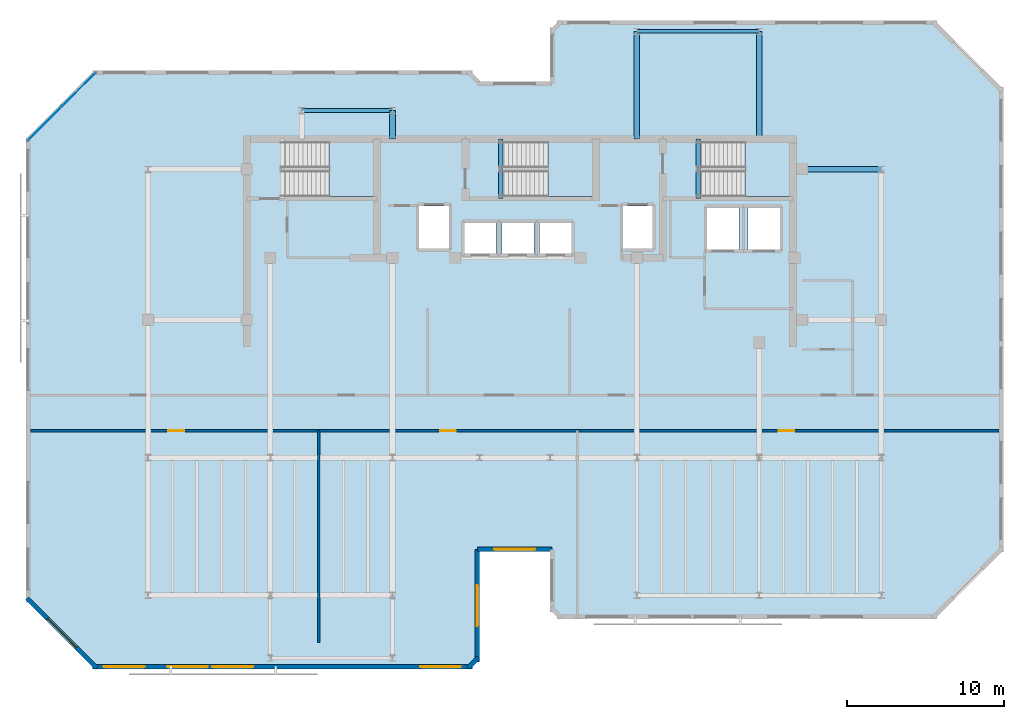
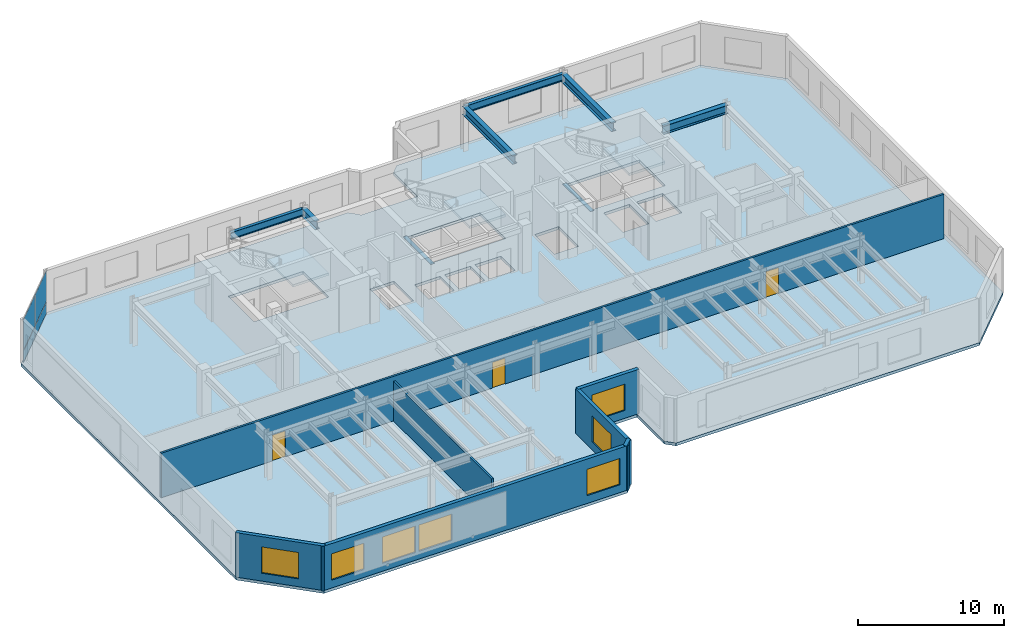
# One storey, part 3 of 9: 8 beams, 7 walls, 7 windows, 4 plates, 4 slabs, 3 doors, 10 openings, 4 elements without a shape of their own.
"""IFC4 building model written with IfcOpenShell, lengths in metres."""

from ifc_helpers import new_model, si_unit, direction, frame, frame_2d, origin, origin_2d, place, context, subcontext, project, spatial, polyline, rectangle, i_section, outline, extrude, material, layer, layer_set, material_profile, profile_set, type_object, element, fill, aggregate, save


model = new_model("IFC4")

# Units and contexts
model_context = context("Model", 3, precision=1e-05, world=origin(), true_north=direction((0.0, 1.0)))
body_context = subcontext(model_context, "Body", "Model", "MODEL_VIEW")
ifc_project = project(units=[si_unit("LENGTHUNIT", "METRE"), si_unit("AREAUNIT", "SQUARE_METRE"), si_unit("VOLUMEUNIT", "CUBIC_METRE"), si_unit("PLANEANGLEUNIT", "RADIAN"), si_unit("MASSUNIT", "GRAM", prefix="KILO")], contexts=[model_context])

# Site, building, storey
site_placement = place(None, origin())
site = spatial("IfcSite", under=ifc_project, at=site_placement, CompositionType="ELEMENT")
building_placement = place(site_placement, origin())
building = spatial("IfcBuilding", under=site, at=building_placement, Name="Kestravale Grand Hotel", CompositionType="ELEMENT")
storey_placement = place(building_placement, frame((0.0, 0.0, 293.39990234375)))
storey = spatial("IfcBuildingStorey", under=building, at=storey_placement, Name="L73", CompositionType="ELEMENT", Elevation=293.39990234375)

# Beams
ifc_material_1 = material(Name="Concrete f'c 45 MPa", Category="concrete")
ifc_material_profile_1 = material_profile(ifc_material_1, rectangle(XDim=0.300048828125, YDim=0.39990234375, at=origin_2d()))
ifc_profile_set_1 = profile_set([ifc_material_profile_1], Name="Concrete f'c 45 MPa")
beam_type_1 = type_object("IfcBeamType", Name="B-FLR-LNT400", PredefinedType="LINTEL", material=ifc_profile_set_1)
for number, where, z_axis, x_axis, name in (
    (1, (38.110107421875, 36.52001953125, -0.199951171875), (0.0, 1.0, 0.0), (-1.0, 0.0, 0.0), "L73 ST2 flight bottom header beam"),
    (2, (50.7099609375, 36.52001953125, -0.199951171875), (0.0, 1.0, 0.0), (-1.0, 0.0, 0.0), "L73 ST3 flight bottom header beam"),
):
    element("IfcBeam", number, at=place(storey_placement, frame(where, z_axis=z_axis, x_axis=x_axis)), inside=storey, type_object=beam_type_1, Name=name, PredefinedType="LINTEL", context=body_context, shape_type="SweptSolid", body=[
        extrude(rectangle(XDim=0.300048828125, YDim=0.39990234375, at=origin_2d()), origin(), (0.0, 0.0, 1.0), 3.800048828125),
    ])
ifc_material_2 = material(Name="Steel ASTM A992 Grade 50", Category="steel")
ifc_material_profile_2 = material_profile(ifc_material_2, i_section(OverallWidth=0.22900390625, OverallDepth=0.612060546875, WebThickness=0.011962890625, FlangeThickness=0.01953125, FilletRadius=0.019287109375, at=origin_2d()))
ifc_profile_set_2 = profile_set([ifc_material_profile_2], Name="Steel ASTM A992 Grade 50")
beam_type_2 = type_object("IfcBeamType", Name="B-FLR-W24B", PredefinedType="SPANDREL", material=ifc_profile_set_2)
beam_1_placement = place(storey_placement, frame((46.800048828125, 47.199951171875, 3.404052734375), z_axis=(1.0, 0.0, 0.0), x_axis=(0.0, 1.0, 0.0)))
element("IfcBeam", 3, at=beam_1_placement, inside=storey, type_object=beam_type_2, Name="L73 spandrel G:8-9", PredefinedType="SPANDREL", context=body_context, shape_type="SweptSolid", body=[
    extrude(i_section(OverallWidth=0.22900390625, OverallDepth=0.612060546875, WebThickness=0.011962890625, FlangeThickness=0.01953125, FilletRadius=0.019287109375, at=origin_2d()), origin(), (0.0, 0.0, 1.0), 7.800048828125),
])
beam_2_placement = place(storey_placement, frame((25.39990234375, 42.14990234375, 3.404052734375), z_axis=(1.0, 0.0, 0.0), x_axis=(0.0, 1.0, 0.0)))
element("IfcBeam", 4, at=beam_2_placement, inside=storey, type_object=beam_type_2, Name="L73 perimeter tie spandrel FN:4-5", PredefinedType="SPANDREL", context=body_context, shape_type="SweptSolid", body=[
    extrude(i_section(OverallWidth=0.22900390625, OverallDepth=0.612060546875, WebThickness=0.011962890625, FlangeThickness=0.01953125, FilletRadius=0.019287109375, at=origin_2d()), origin(), (0.0, 0.0, 1.0), 5.800048828125),
])
ifc_material_3 = material(Name="Steel ASTM A992 Grade 50", Category="steel")
ifc_material_profile_3 = material_profile(ifc_material_3, i_section(OverallWidth=0.35595703125, OverallDepth=0.696044921875, WebThickness=0.015380859375, FlangeThickness=0.02490234375, FilletRadius=0.021240234375, at=origin_2d()))
ifc_profile_set_3 = profile_set([ifc_material_profile_3], Name="Steel ASTM A992 Grade 50")
beam_type_3 = type_object("IfcBeamType", Name="B-GRD-W27", PredefinedType="BEAM", material=ifc_profile_set_3)
beam_3_placement = place(storey_placement, frame((57.35009765625, 38.39990234375, 3.362060546875), z_axis=(1.0, 0.0, 0.0), x_axis=(0.0, 1.0, 0.0)))
element("IfcBeam", 5, at=beam_3_placement, inside=storey, type_object=beam_type_3, Name="L73 girder F:CE-10", PredefinedType="BEAM", context=body_context, shape_type="SweptSolid", body=[
    extrude(i_section(OverallWidth=0.35595703125, OverallDepth=0.696044921875, WebThickness=0.015380859375, FlangeThickness=0.02490234375, FilletRadius=0.021240234375, at=origin_2d()), origin(), (0.0, 0.0, 1.0), 5.0498046875),
])
beam_4_placement = place(storey_placement, frame((31.199951171875, 40.320068359375, 3.362060546875), z_axis=(0.0, 1.0, 0.0), x_axis=(-1.0, 0.0, 0.0)))
element("IfcBeam", 6, at=beam_4_placement, inside=storey, type_object=beam_type_3, Name="L73 north wing tie girder 5:CN-FN", PredefinedType="BEAM", context=body_context, shape_type="SweptSolid", body=[
    extrude(i_section(OverallWidth=0.35595703125, OverallDepth=0.696044921875, WebThickness=0.015380859375, FlangeThickness=0.02490234375, FilletRadius=0.021240234375, at=origin_2d()), origin(), (0.0, 0.0, 1.0), 1.829833984375),
])
for number, where, z_axis, x_axis, name in (
    (7, (46.800048828125, 40.320068359375, 3.362060546875), (0.0, 1.0, 0.0), (-1.0, 0.0, 0.0), "L73 north wing tie girder 8:CN-G"),
    (8, (54.60009765625, 40.320068359375, 3.362060546875), (0.0, 1.0, 0.0), (-1.0, 0.0, 0.0), "L73 north wing tie girder 9:CN-G"),
):
    element("IfcBeam", number, at=place(storey_placement, frame(where, z_axis=z_axis, x_axis=x_axis)), inside=storey, type_object=beam_type_3, Name=name, PredefinedType="BEAM", context=body_context, shape_type="SweptSolid", body=[
        extrude(i_section(OverallWidth=0.35595703125, OverallDepth=0.696044921875, WebThickness=0.015380859375, FlangeThickness=0.02490234375, FilletRadius=0.021240234375, at=origin_2d()), origin(), (0.0, 0.0, 1.0), 6.8798828125),
    ])

# Curtain wall, plates
ifc_material_4 = material(Name="Thermally broken champagne-bronze aluminium and low-E glazing", Category="aluminium")
ifc_layer_1 = layer(ifc_material_4, 0.239990234375)
ifc_layer_set_1 = layer_set([ifc_layer_1], Name="CW-OBS")
curtain_wall_type = type_object("IfcCurtainWallType", Name="CW-OBS", PredefinedType="NOTDEFINED", material=ifc_layer_set_1)
curtain_wall_placement = place(storey_placement, origin())
curtain_wall = element("IfcCurtainWall", 9, at=curtain_wall_placement, inside=storey, type_object=curtain_wall_type, Name="L73 unitised curtain wall 18", PredefinedType="NOTDEFINED")
ifc_material_5 = material(Name="Insulated clear low-E double glazing IGU", Category="glass")
ifc_layer_2 = layer(ifc_material_5, 0.0400390625)
ifc_layer_set_2 = layer_set([ifc_layer_2], Name="CW-PNL-40")
plate_type = type_object("IfcPlateType", Name="CW-PNL-40", PredefinedType="CURTAIN_PANEL", material=ifc_layer_set_2)
plate_1_placement = place(storey_placement, frame((11.191162109375, 43.4931640625, 0.0751953125), z_axis=(0.0, 0.0, 1.0), x_axis=(-0.707106781187, -0.707106781187, 0.0)))
plate_1 = element("IfcPlate", 10, at=plate_1_placement, type_object=plate_type, Name="CW-OBS panel 1.1", PredefinedType="CURTAIN_PANEL", context=body_context, shape_type="SweptSolid", body=[
    extrude(rectangle(XDim=3.00390625, YDim=0.0400390625, at=origin_2d()), origin(), (0.0, 0.0, 1.0), 0.9375),
])
plate_2_placement = place(storey_placement, frame((11.191162109375, 43.4931640625, 1.08740234375), z_axis=(0.0, 0.0, 1.0), x_axis=(-0.707106781187, -0.707106781187, 0.0)))
plate_2 = element("IfcPlate", 11, at=plate_2_placement, type_object=plate_type, Name="CW-OBS panel 1.2", PredefinedType="CURTAIN_PANEL", context=body_context, shape_type="SweptSolid", body=[
    extrude(rectangle(XDim=3.00390625, YDim=0.0400390625, at=origin_2d()), origin(), (0.0, 0.0, 1.0), 2.547607421875),
])
plate_3_placement = place(storey_placement, frame((9.0068359375, 41.308837890625, 0.0751953125), z_axis=(0.0, 0.0, 1.0), x_axis=(-0.707106781187, -0.707106781187, 0.0)))
plate_3 = element("IfcPlate", 12, at=plate_3_placement, type_object=plate_type, Name="CW-OBS panel 2.1", PredefinedType="CURTAIN_PANEL", context=body_context, shape_type="SweptSolid", body=[
    extrude(rectangle(XDim=3.00390625, YDim=0.0400390625, at=origin_2d()), origin(), (0.0, 0.0, 1.0), 0.9375),
])
plate_4_placement = place(storey_placement, frame((9.0068359375, 41.308837890625, 1.08740234375), z_axis=(0.0, 0.0, 1.0), x_axis=(-0.707106781187, -0.707106781187, 0.0)))
plate_4 = element("IfcPlate", 13, at=plate_4_placement, type_object=plate_type, Name="CW-OBS panel 2.2", PredefinedType="CURTAIN_PANEL", context=body_context, shape_type="SweptSolid", body=[
    extrude(rectangle(XDim=3.00390625, YDim=0.0400390625, at=origin_2d()), origin(), (0.0, 0.0, 1.0), 2.547607421875),
])
aggregate(curtain_wall, [plate_1, plate_2, plate_3, plate_4])

# Stair, slab
ifc_material_6 = material(Name="Concrete f'c 45 MPa", Category="concrete")
stair_type = type_object("IfcStairType", Name="ST-CORE-400", PredefinedType="HALF_TURN_STAIR", material=ifc_material_6)
stair_1_placement = place(storey_placement, origin())
stair_1 = element("IfcStair", 14, at=stair_1_placement, inside=storey, type_object=stair_type, Name="L73 ST-1", PredefinedType="HALF_TURN_STAIR")
ifc_material_7 = material(Name="Concrete f'c 45 MPa", Category="concrete")
ifc_layer_3 = layer(ifc_material_7, 0.199951171875)
ifc_layer_set_3 = layer_set([ifc_layer_3], Name="SLB-ST-LND200")
slab_type_1 = type_object("IfcSlabType", Name="SLB-ST-LND200", PredefinedType="LANDING", material=ifc_layer_set_3)
slab_1_placement = place(storey_placement, frame((0.0, 0.0, 1.800048828125)))
slab_1 = element("IfcSlab", 15, at=slab_1_placement, type_object=slab_type_1, Name="ST-1 landing 1", PredefinedType="LANDING", context=body_context, shape_type="SweptSolid", body=[
    extrude(outline(polyline([(27.159912109375, 36.64990234375), (30.0, 36.64990234375), (30.0, 40.159912109375), (27.159912109375, 40.159912109375), (27.159912109375, 36.64990234375)])), origin(), (0.0, 0.0, 1.0), 0.199951171875),
])
aggregate(stair_1, [slab_1])

stair_2_placement = place(storey_placement, origin())
stair_2 = element("IfcStair", 16, at=stair_2_placement, inside=storey, type_object=stair_type, Name="L73 ST-2", PredefinedType="HALF_TURN_STAIR")
slab_2_placement = place(storey_placement, frame((0.0, 0.0, 1.800048828125)))
slab_2 = element("IfcSlab", 17, at=slab_2_placement, type_object=slab_type_1, Name="ST-2 landing 1", PredefinedType="LANDING", context=body_context, shape_type="SweptSolid", body=[
    extrude(outline(polyline([(41.110107421875, 36.64990234375), (43.949951171875, 36.64990234375), (43.949951171875, 40.159912109375), (41.110107421875, 40.159912109375), (41.110107421875, 36.64990234375)])), origin(), (0.0, 0.0, 1.0), 0.199951171875),
])
aggregate(stair_2, [slab_2])

stair_3_placement = place(storey_placement, origin())
stair_3 = element("IfcStair", 18, at=stair_3_placement, inside=storey, type_object=stair_type, Name="L73 ST-3", PredefinedType="HALF_TURN_STAIR")
slab_3_placement = place(storey_placement, frame((0.0, 0.0, 1.800048828125)))
slab_3 = element("IfcSlab", 19, at=slab_3_placement, type_object=slab_type_1, Name="ST-3 landing 1", PredefinedType="LANDING", context=body_context, shape_type="SweptSolid", body=[
    extrude(outline(polyline([(53.7099609375, 36.64990234375), (56.550048828125, 36.64990234375), (56.550048828125, 40.159912109375), (53.7099609375, 40.159912109375), (53.7099609375, 36.64990234375)])), origin(), (0.0, 0.0, 1.0), 0.199951171875),
])
aggregate(stair_3, [slab_3])

# Slab
ifc_material_8 = material(Name="Concrete f'c 45 MPa", Category="concrete")
ifc_layer_4 = layer(ifc_material_8, 0.239990234375)
ifc_layer_set_4 = layer_set([ifc_layer_4], Name="SS-FLR-240")
slab_type_2 = type_object("IfcSlabType", Name="SS-FLR-240", PredefinedType="FLOOR", material=ifc_layer_set_4)
slab_4_placement = place(storey_placement, frame((0.0, 0.0, -0.239990234375)))
element("IfcSlab", 20, at=slab_4_placement, inside=storey, type_object=slab_type_2, Name="L73 structural floor slab", PredefinedType="FLOOR", context=body_context, shape_type="SweptSolid", body=[
    extrude(outline(polyline([(12.199951171875, 6.5), (36.14990234375, 6.5), (36.75, 7.10009765625), (36.75, 14.0), (41.25, 14.0), (41.25, 10.300048828125), (41.85009765625, 9.699951171875), (65.800048828125, 9.699951171875), (70.199951171875, 14.10009765625), (70.199951171875, 43.5), (65.800048828125, 47.89990234375), (41.85009765625, 47.89990234375), (41.25, 47.300048828125), (41.25, 44.0), (36.75, 44.0), (36.75, 44.10009765625), (36.14990234375, 44.699951171875), (12.199951171875, 44.699951171875), (7.800048828125, 40.300048828125), (7.800048828125, 10.89990234375), (12.199951171875, 6.5)]), holes=[polyline([(24.080078125, 36.64990234375), (30.0, 36.64990234375), (30.0, 40.159912109375), (24.080078125, 40.159912109375), (24.080078125, 36.64990234375)]), polyline([(38.030029296875, 36.64990234375), (43.949951171875, 36.64990234375), (43.949951171875, 40.159912109375), (38.030029296875, 40.159912109375), (38.030029296875, 36.64990234375)]), polyline([(50.6298828125, 36.64990234375), (56.550048828125, 36.64990234375), (56.550048828125, 40.159912109375), (50.6298828125, 40.159912109375), (50.6298828125, 36.64990234375)]), polyline([(35.780029296875, 33.030029296875), (37.820068359375, 33.030029296875), (37.820068359375, 34.969970703125), (35.780029296875, 34.969970703125), (35.780029296875, 33.030029296875)]), polyline([(38.179931640625, 33.030029296875), (40.219970703125, 33.030029296875), (40.219970703125, 34.969970703125), (38.179931640625, 34.969970703125), (38.179931640625, 33.030029296875)]), polyline([(40.580078125, 33.030029296875), (42.6201171875, 33.030029296875), (42.6201171875, 34.969970703125), (40.580078125, 34.969970703125), (40.580078125, 33.030029296875)]), polyline([(32.905029296875, 33.35498046875), (34.794921875, 33.35498046875), (34.794921875, 36.044921875), (32.905029296875, 36.044921875), (32.905029296875, 33.35498046875)]), polyline([(45.905029296875, 33.35498046875), (47.794921875, 33.35498046875), (47.794921875, 36.044921875), (45.905029296875, 36.044921875), (45.905029296875, 33.35498046875)]), polyline([(51.280029296875, 33.280029296875), (53.320068359375, 33.280029296875), (53.320068359375, 35.919921875), (51.280029296875, 35.919921875), (51.280029296875, 33.280029296875)]), polyline([(53.8798828125, 33.280029296875), (55.919921875, 33.280029296875), (55.919921875, 35.919921875), (53.8798828125, 35.919921875), (53.8798828125, 33.280029296875)])]), origin(), (0.0, 0.0, 1.0), 0.239990234375),
])

# Wall, openings, windows
ifc_material_9 = material(Name="Precast concrete f'c 45 MPa", Category="concrete")
ifc_layer_5 = layer(ifc_material_9, 0.280029296875)
ifc_layer_set_5 = layer_set([ifc_layer_5], Name="EW-PREC-280")
wall_type_1 = type_object("IfcWallType", Name="EW-PREC-280", PredefinedType="SOLIDWALL", material=ifc_layer_set_5)
wall_1_placement = place(storey_placement, frame((12.06005859375, 6.639892578125, 0.0), z_axis=(0.0, 0.0, 1.0), x_axis=(1.0, 0.0, 0.0)))
wall_1 = element("IfcWall", 21, at=wall_1_placement, inside=storey, type_object=wall_type_1, Name="L73 fluted precast facade wall 1", PredefinedType="SOLIDWALL", context=body_context, shape_type="SweptSolid", body=[
    extrude(rectangle(XDim=24.22998046875, YDim=0.280029296875, at=frame_2d((12.114990234375, 0.0))), origin(), (0.0, 0.0, 1.0), 3.710205078125),
])
opening_1_placement = place(wall_1_placement, frame((0.71923828125, 0.0, 0.64990234375)))
opening_1 = element("IfcOpeningElement", 22, at=opening_1_placement, cuts=wall_1, Name="Opening W-SKY-2600", PredefinedType="OPENING", context=body_context, shape_type="SweptSolid", body=[
    extrude(rectangle(XDim=2.60009765625, YDim=2.199951171875, at=frame_2d((1.300048828125, 1.10009765625))), frame((0.0, 0.14990234375, 0.0), z_axis=(0.0, -1.0, 0.0), x_axis=(1.0, 0.0, 0.0)), (0.0, 0.0, 1.0), 0.300048828125),
])
opening_2_placement = place(wall_1_placement, frame((4.757568359375, 0.0, 0.64990234375)))
opening_2 = element("IfcOpeningElement", 23, at=opening_2_placement, cuts=wall_1, Name="Opening W-SKY-2600", PredefinedType="OPENING", context=body_context, shape_type="SweptSolid", body=[
    extrude(rectangle(XDim=2.60009765625, YDim=2.199951171875, at=frame_2d((1.300048828125, 1.10009765625))), frame((0.0, 0.14990234375, 0.0), z_axis=(0.0, -1.0, 0.0), x_axis=(1.0, 0.0, 0.0)), (0.0, 0.0, 1.0), 0.300048828125),
])
opening_3_placement = place(wall_1_placement, frame((7.645751953125, 0.0, 0.64990234375)))
opening_3 = element("IfcOpeningElement", 24, at=opening_3_placement, cuts=wall_1, Name="Opening W-SKY-2600", PredefinedType="OPENING", context=body_context, shape_type="SweptSolid", body=[
    extrude(rectangle(XDim=2.60009765625, YDim=2.199951171875, at=frame_2d((1.300048828125, 1.10009765625))), frame((0.0, 0.14990234375, 0.0), z_axis=(0.0, -1.0, 0.0), x_axis=(1.0, 0.0, 0.0)), (0.0, 0.0, 1.0), 0.300048828125),
])
opening_4_placement = place(wall_1_placement, frame((20.910888671875, 0.0, 0.64990234375)))
opening_4 = element("IfcOpeningElement", 25, at=opening_4_placement, cuts=wall_1, Name="Opening W-SKY-2600", PredefinedType="OPENING", context=body_context, shape_type="SweptSolid", body=[
    extrude(rectangle(XDim=2.60009765625, YDim=2.199951171875, at=frame_2d((1.300048828125, 1.10009765625))), frame((0.0, 0.14990234375, 0.0), z_axis=(0.0, -1.0, 0.0), x_axis=(1.0, 0.0, 0.0)), (0.0, 0.0, 1.0), 0.300048828125),
])
ifc_material_10 = material(Name="Insulated low-E double glazing in aluminium frame", Category="aluminium")
window_type = type_object("IfcWindowType", Name="W-SKY-2600", PartitioningType="TRIPLE_PANEL_VERTICAL", PredefinedType="WINDOW", material=ifc_material_10)
window_1_placement = place(opening_1_placement, origin())
window_1 = element("IfcWindow", 26, at=window_1_placement, inside=storey, type_object=window_type, Name="L73 exterior window 1.1", OverallHeight=2.199951171875, OverallWidth=2.60009765625, PartitioningType="SINGLE_PANEL", PredefinedType="WINDOW", context=body_context, shape_type="SweptSolid", body=[
    extrude(rectangle(XDim=2.60009765625, YDim=2.199951171875, at=frame_2d((1.300048828125, 1.10009765625))), frame((0.0, 0.030029296875, 0.0), z_axis=(0.0, -1.0, 0.0), x_axis=(1.0, 0.0, 0.0)), (0.0, 0.0, 1.0), 0.06005859375),
])
fill(opening_1, window_1)
window_2_placement = place(opening_2_placement, origin())
window_2 = element("IfcWindow", 27, at=window_2_placement, inside=storey, type_object=window_type, Name="L73 exterior window 1.2", OverallHeight=2.199951171875, OverallWidth=2.60009765625, PartitioningType="SINGLE_PANEL", PredefinedType="WINDOW", context=body_context, shape_type="SweptSolid", body=[
    extrude(rectangle(XDim=2.60009765625, YDim=2.199951171875, at=frame_2d((1.300048828125, 1.10009765625))), frame((0.0, 0.030029296875, 0.0), z_axis=(0.0, -1.0, 0.0), x_axis=(1.0, 0.0, 0.0)), (0.0, 0.0, 1.0), 0.06005859375),
])
fill(opening_2, window_2)
window_3_placement = place(opening_3_placement, origin())
window_3 = element("IfcWindow", 28, at=window_3_placement, inside=storey, type_object=window_type, Name="L73 exterior window 1.3", OverallHeight=2.199951171875, OverallWidth=2.60009765625, PartitioningType="SINGLE_PANEL", PredefinedType="WINDOW", context=body_context, shape_type="SweptSolid", body=[
    extrude(rectangle(XDim=2.60009765625, YDim=2.199951171875, at=frame_2d((1.300048828125, 1.10009765625))), frame((0.0, 0.030029296875, 0.0), z_axis=(0.0, -1.0, 0.0), x_axis=(1.0, 0.0, 0.0)), (0.0, 0.0, 1.0), 0.06005859375),
])
fill(opening_3, window_3)
window_4_placement = place(opening_4_placement, origin())
window_4 = element("IfcWindow", 29, at=window_4_placement, inside=storey, type_object=window_type, Name="L73 exterior window 1.4", OverallHeight=2.199951171875, OverallWidth=2.60009765625, PartitioningType="SINGLE_PANEL", PredefinedType="WINDOW", context=body_context, shape_type="SweptSolid", body=[
    extrude(rectangle(XDim=2.60009765625, YDim=2.199951171875, at=frame_2d((1.300048828125, 1.10009765625))), frame((0.0, 0.030029296875, 0.0), z_axis=(0.0, -1.0, 0.0), x_axis=(1.0, 0.0, 0.0)), (0.0, 0.0, 1.0), 0.06005859375),
])
fill(opening_4, window_4)

# Wall
wall_2_placement = place(storey_placement, frame((36.022705078125, 6.57080078125, 0.0), z_axis=(0.0, 0.0, 1.0), x_axis=(0.707106781187, 0.707106781187, 0.0)))
element("IfcWall", 30, at=wall_2_placement, inside=storey, type_object=wall_type_1, Name="L73 fluted precast facade wall 2", PredefinedType="SOLIDWALL", context=body_context, shape_type="SweptSolid", body=[
    extrude(rectangle(XDim=0.928466796875, YDim=0.280029296875, at=frame_2d((0.46435546875, 0.0))), origin(), (0.0, 0.0, 1.0), 3.710205078125),
])

# Wall, opening, window
wall_3_placement = place(storey_placement, frame((36.610107421875, 6.9599609375, 0.0), z_axis=(0.0, 0.0, 1.0), x_axis=(0.0, 1.0, 0.0)))
wall_3 = element("IfcWall", 31, at=wall_3_placement, inside=storey, type_object=wall_type_1, Name="L73 fluted precast facade wall 3", PredefinedType="SOLIDWALL", context=body_context, shape_type="SweptSolid", body=[
    extrude(rectangle(XDim=7.179931640625, YDim=0.280029296875, at=frame_2d((3.58984375, 0.0))), origin(), (0.0, 0.0, 1.0), 3.710205078125),
])
opening_5_placement = place(wall_3_placement, frame((2.2900390625, 0.0, 0.64990234375)))
opening_5 = element("IfcOpeningElement", 32, at=opening_5_placement, cuts=wall_3, Name="Opening W-SKY-2600", PredefinedType="OPENING", context=body_context, shape_type="SweptSolid", body=[
    extrude(rectangle(XDim=2.60009765625, YDim=2.199951171875, at=frame_2d((1.300048828125, 1.10009765625))), frame((0.0, 0.14990234375, 0.0), z_axis=(0.0, -1.0, 0.0), x_axis=(1.0, 0.0, 0.0)), (0.0, 0.0, 1.0), 0.300048828125),
])
window_5_placement = place(opening_5_placement, origin())
window_5 = element("IfcWindow", 33, at=window_5_placement, inside=storey, type_object=window_type, Name="L73 exterior window 3.1", OverallHeight=2.199951171875, OverallWidth=2.60009765625, PartitioningType="SINGLE_PANEL", PredefinedType="WINDOW", context=body_context, shape_type="SweptSolid", body=[
    extrude(rectangle(XDim=2.60009765625, YDim=2.199951171875, at=frame_2d((1.300048828125, 1.10009765625))), frame((0.0, 0.030029296875, 0.0), z_axis=(0.0, -1.0, 0.0), x_axis=(1.0, 0.0, 0.0)), (0.0, 0.0, 1.0), 0.06005859375),
])
fill(opening_5, window_5)

wall_4_placement = place(storey_placement, frame((36.610107421875, 14.139892578125, 0.0), z_axis=(0.0, 0.0, 1.0), x_axis=(1.0, 0.0, 0.0)))
wall_4 = element("IfcWall", 34, at=wall_4_placement, inside=storey, type_object=wall_type_1, Name="L73 fluted precast facade wall 4", PredefinedType="SOLIDWALL", context=body_context, shape_type="SweptSolid", body=[
    extrude(rectangle(XDim=4.77978515625, YDim=0.280029296875, at=frame_2d((2.389892578125, 0.0))), origin(), (0.0, 0.0, 1.0), 3.710205078125),
])
opening_6_placement = place(wall_4_placement, frame((1.090087890625, 0.0, 0.64990234375)))
opening_6 = element("IfcOpeningElement", 35, at=opening_6_placement, cuts=wall_4, Name="Opening W-SKY-2600", PredefinedType="OPENING", context=body_context, shape_type="SweptSolid", body=[
    extrude(rectangle(XDim=2.60009765625, YDim=2.199951171875, at=frame_2d((1.300048828125, 1.10009765625))), frame((0.0, 0.14990234375, 0.0), z_axis=(0.0, -1.0, 0.0), x_axis=(1.0, 0.0, 0.0)), (0.0, 0.0, 1.0), 0.300048828125),
])
window_6_placement = place(opening_6_placement, origin())
window_6 = element("IfcWindow", 36, at=window_6_placement, inside=storey, type_object=window_type, Name="L73 exterior window 4.1", OverallHeight=2.199951171875, OverallWidth=2.60009765625, PartitioningType="SINGLE_PANEL", PredefinedType="WINDOW", context=body_context, shape_type="SweptSolid", body=[
    extrude(rectangle(XDim=2.60009765625, YDim=2.199951171875, at=frame_2d((1.300048828125, 1.10009765625))), frame((0.0, 0.030029296875, 0.0), z_axis=(0.0, -1.0, 0.0), x_axis=(1.0, 0.0, 0.0)), (0.0, 0.0, 1.0), 0.06005859375),
])
fill(opening_6, window_6)

wall_5_placement = place(storey_placement, frame((7.87060546875, 11.02734375, 0.0), z_axis=(0.0, 0.0, 1.0), x_axis=(0.707126148934, -0.707087412908, 0.0)))
wall_5 = element("IfcWall", 37, at=wall_5_placement, inside=storey, type_object=wall_type_1, Name="L73 fluted precast facade wall 20", PredefinedType="SOLIDWALL", context=body_context, shape_type="SweptSolid", body=[
    extrude(rectangle(XDim=6.302734375, YDim=0.280029296875, at=frame_2d((3.1513671875, 0.0))), origin(), (0.0, 0.0, 1.0), 3.710205078125),
])
opening_7_placement = place(wall_5_placement, frame((1.851318359375, 0.0, 0.64990234375)))
opening_7 = element("IfcOpeningElement", 38, at=opening_7_placement, cuts=wall_5, Name="Opening W-SKY-2600", PredefinedType="OPENING", context=body_context, shape_type="SweptSolid", body=[
    extrude(rectangle(XDim=2.60009765625, YDim=2.199951171875, at=frame_2d((1.300048828125, 1.10009765625))), frame((0.0, 0.14990234375, 0.0), z_axis=(0.0, -1.0, 0.0), x_axis=(1.0, 0.0, 0.0)), (0.0, 0.0, 1.0), 0.300048828125),
])
window_7_placement = place(opening_7_placement, origin())
window_7 = element("IfcWindow", 39, at=window_7_placement, inside=storey, type_object=window_type, Name="L73 exterior window 20.1", OverallHeight=2.199951171875, OverallWidth=2.60009765625, PartitioningType="SINGLE_PANEL", PredefinedType="WINDOW", context=body_context, shape_type="SweptSolid", body=[
    extrude(rectangle(XDim=2.60009765625, YDim=2.199951171875, at=frame_2d((1.300048828125, 1.10009765625))), frame((0.0, 0.030029296875, 0.0), z_axis=(0.0, -1.0, 0.0), x_axis=(1.0, 0.0, 0.0)), (0.0, 0.0, 1.0), 0.06005859375),
])
fill(opening_7, window_7)

# Wall, openings, doors
ifc_material_11 = material(Name="Acoustic fire-rated gypsum board partition", Category="other")
ifc_layer_6 = layer(ifc_material_11, 0.159912109375)
ifc_layer_set_6 = layer_set([ifc_layer_6], Name="IW-CORR-160")
wall_type_2 = type_object("IfcWallType", Name="IW-CORR-160", PredefinedType="PARTITIONING", material=ifc_layer_set_6)
wall_6_placement = place(storey_placement, frame((8.10009765625, 21.719970703125, 0.0), z_axis=(0.0, 0.0, 1.0), x_axis=(1.0, 0.0, 0.0)))
wall_6 = element("IfcWall", 40, at=wall_6_placement, inside=storey, type_object=wall_type_2, Name="W-L73-SC-S", PredefinedType="PARTITIONING", context=body_context, shape_type="SweptSolid", body=[
    extrude(rectangle(XDim=61.7998046875, YDim=0.159912109375, at=frame_2d((30.89990234375, 0.0))), origin(), (0.0, 0.0, 1.0), 3.710205078125),
])
opening_8_placement = place(wall_6_placement, frame((8.800048828125, 0.0, 0.0)))
opening_8 = element("IfcOpeningElement", 41, at=opening_8_placement, cuts=wall_6, Name="Opening D-GUEST-1000", PredefinedType="OPENING", context=body_context, shape_type="SweptSolid", body=[
    extrude(rectangle(XDim=1.0, YDim=2.14990234375, at=frame_2d((0.5, 1.074951171875))), frame((0.0, 0.08984375, 0.0), z_axis=(0.0, -1.0, 0.0), x_axis=(1.0, 0.0, 0.0)), (0.0, 0.0, 1.0), 0.179931640625),
])
opening_9_placement = place(wall_6_placement, frame((26.14990234375, 0.0, 0.0)))
opening_9 = element("IfcOpeningElement", 42, at=opening_9_placement, cuts=wall_6, Name="Opening D-GUEST-1000", PredefinedType="OPENING", context=body_context, shape_type="SweptSolid", body=[
    extrude(rectangle(XDim=1.0, YDim=2.14990234375, at=frame_2d((0.5, 1.074951171875))), frame((0.0, 0.08984375, 0.0), z_axis=(0.0, -1.0, 0.0), x_axis=(1.0, 0.0, 0.0)), (0.0, 0.0, 1.0), 0.179931640625),
])
opening_10_placement = place(wall_6_placement, frame((47.75, 0.0, 0.0)))
opening_10 = element("IfcOpeningElement", 43, at=opening_10_placement, cuts=wall_6, Name="Opening D-GUEST-1000", PredefinedType="OPENING", context=body_context, shape_type="SweptSolid", body=[
    extrude(rectangle(XDim=1.0, YDim=2.14990234375, at=frame_2d((0.5, 1.074951171875))), frame((0.0, 0.08984375, 0.0), z_axis=(0.0, -1.0, 0.0), x_axis=(1.0, 0.0, 0.0)), (0.0, 0.0, 1.0), 0.179931640625),
])
ifc_material_12 = material(Name="Accessible walnut veneer hotel entrance fire door", Category="wood")
door_type = type_object("IfcDoorType", Name="D-GUEST-1000", OperationType="NOTDEFINED", PredefinedType="DOOR", material=ifc_material_12)
door_1_placement = place(opening_8_placement, origin())
door_1 = element("IfcDoor", 44, at=door_1_placement, inside=storey, type_object=door_type, Name="D-L73-PDIN1", OperationType="SINGLE_SWING_LEFT", OverallHeight=2.14990234375, OverallWidth=1.0, PredefinedType="DOOR", context=body_context, shape_type="SweptSolid", body=[
    extrude(rectangle(XDim=1.0, YDim=2.14990234375, at=frame_2d((0.5, 1.074951171875))), frame((0.0, 0.02490234375, 0.0), z_axis=(0.0, -1.0, 0.0), x_axis=(1.0, 0.0, 0.0)), (0.0, 0.0, 1.0), 0.050048828125),
])
fill(opening_8, door_1)
door_2_placement = place(opening_9_placement, origin())
door_2 = element("IfcDoor", 45, at=door_2_placement, inside=storey, type_object=door_type, Name="D-L73-CELLAR", OperationType="SINGLE_SWING_RIGHT", OverallHeight=2.14990234375, OverallWidth=1.0, PredefinedType="DOOR", context=body_context, shape_type="SweptSolid", body=[
    extrude(rectangle(XDim=1.0, YDim=2.14990234375, at=frame_2d((0.5, 1.074951171875))), frame((0.0, 0.02490234375, 0.0), z_axis=(0.0, -1.0, 0.0), x_axis=(1.0, 0.0, 0.0)), (0.0, 0.0, 1.0), 0.050048828125),
])
fill(opening_9, door_2)
door_3_placement = place(opening_10_placement, origin())
door_3 = element("IfcDoor", 46, at=door_3_placement, inside=storey, type_object=door_type, Name="D-L73-PDIN2", OperationType="SINGLE_SWING_LEFT", OverallHeight=2.14990234375, OverallWidth=1.0, PredefinedType="DOOR", context=body_context, shape_type="SweptSolid", body=[
    extrude(rectangle(XDim=1.0, YDim=2.14990234375, at=frame_2d((0.5, 1.074951171875))), frame((0.0, 0.02490234375, 0.0), z_axis=(0.0, -1.0, 0.0), x_axis=(1.0, 0.0, 0.0)), (0.0, 0.0, 1.0), 0.050048828125),
])
fill(opening_10, door_3)

# Wall
ifc_material_13 = material(Name="Double-stud STC 52 acoustic demising partition", Category="other")
ifc_layer_7 = layer(ifc_material_13, 0.14990234375)
ifc_layer_set_7 = layer_set([ifc_layer_7], Name="IW-UNIT-150")
wall_type_3 = type_object("IfcWallType", Name="IW-UNIT-150", PredefinedType="PARTITIONING", material=ifc_layer_set_7)
wall_7_placement = place(storey_placement, frame((26.5, 8.199951171875, 0.0), z_axis=(0.0, 0.0, 1.0), x_axis=(0.0, 1.0, 0.0)))
element("IfcWall", 47, at=wall_7_placement, inside=storey, type_object=wall_type_3, Name="W-L73-SD-1", PredefinedType="PARTITIONING", context=body_context, shape_type="SweptSolid", body=[
    extrude(rectangle(XDim=13.52001953125, YDim=0.14990234375, at=frame_2d((6.760009765625, 0.0))), origin(), (0.0, 0.0, 1.0), 3.30615234375),
])

save(model, "model.ifc")
